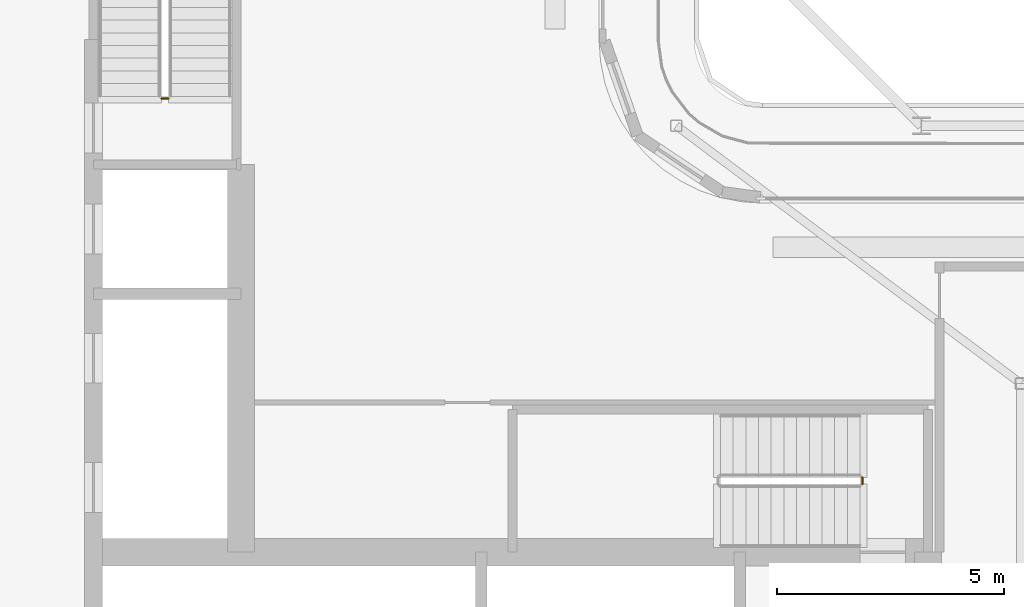
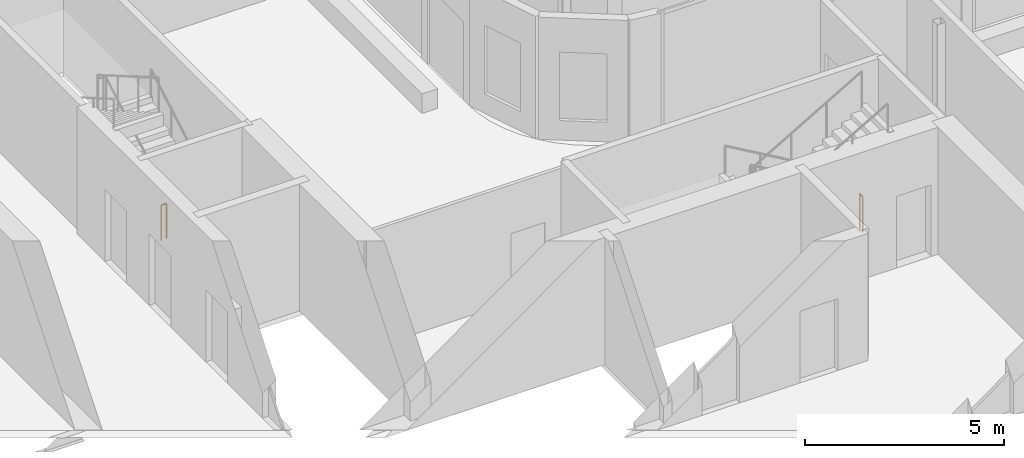
# One storey, part 16 of 20: 2 railings.
"""IFC4 building model written with IfcOpenShell, lengths in metres."""

from ifc_helpers import new_model, si_unit, direction, frame, origin, origin_2d, place, context, subcontext, project, spatial, circle, extrude, material, type_object, element, save


model = new_model("IFC4")

# Units and contexts
model_context = context("Model", 3, precision=1e-05, world=origin(), true_north=direction((0.0, 1.0)))
body_context = subcontext(model_context, "Body", "Model", "MODEL_VIEW")
ifc_project = project(units=[si_unit("LENGTHUNIT", "METRE"), si_unit("AREAUNIT", "SQUARE_METRE"), si_unit("VOLUMEUNIT", "CUBIC_METRE"), si_unit("PLANEANGLEUNIT", "RADIAN"), si_unit("MASSUNIT", "GRAM", prefix="KILO")], contexts=[model_context])

# Site, building, storey
site_placement = place(None, origin())
site = spatial("IfcSite", under=ifc_project, at=site_placement, CompositionType="ELEMENT")
building_placement = place(site_placement, origin())
building = spatial("IfcBuilding", under=site, at=building_placement, Name="Kheshtan School and Residences Tower", CompositionType="ELEMENT")
storey_placement = place(building_placement, frame((0.0, 0.0, 286.39990234375)))
storey = spatial("IfcBuildingStorey", under=building, at=storey_placement, Name="L67", CompositionType="ELEMENT", Elevation=286.39990234375)

# Railings
ifc_material = material(Name="Stainless steel balustrade", Category="steel")
railing_type = type_object("IfcRailingType", Name="Stair guard 1100", PredefinedType="GUARDRAIL", material=ifc_material)
railing_1_placement = place(storey_placement, frame((51.699951171875, 37.85009765625, 0.0)))
element("IfcRailing", 1, at=railing_1_placement, inside=storey, type_object=railing_type, Name="L67 ST1 stair guard 2", PredefinedType="GUARDRAIL", context=body_context, shape_type="SweptSolid", body=[
    extrude(circle(Radius=0.02392578125, at=origin_2d()), frame((0.0, 0.0, 1.076171875), z_axis=(0.0, -1.0, 0.0), x_axis=(1.0, 0.0, 0.0)), (0.0, 0.0, 1.0), 0.150146484375),
    extrude(circle(Radius=0.02099609375, at=origin_2d()), origin(), (0.0, 0.0, 1.0), 1.052001953125),
    extrude(circle(Radius=0.02099609375, at=origin_2d()), frame((0.0, -0.150146484375, 0.0)), (0.0, 0.0, 1.0), 1.052001953125),
])
railing_2_placement = place(storey_placement, frame((36.39990234375, 46.199951171875, 0.0)))
element("IfcRailing", 2, at=railing_2_placement, inside=storey, type_object=railing_type, Name="L67 ST2 stair guard 2", PredefinedType="GUARDRAIL", context=body_context, shape_type="SweptSolid", body=[
    extrude(circle(Radius=0.02392578125, at=origin_2d()), frame((0.0, 0.0, 1.076171875), z_axis=(-1.0, 0.0, 0.0), x_axis=(0.0, -1.0, 0.0)), (0.0, 0.0, 1.0), 0.14990234375),
    extrude(circle(Radius=0.02099609375, at=origin_2d()), origin(), (0.0, 0.0, 1.0), 1.052001953125),
    extrude(circle(Radius=0.02099609375, at=origin_2d()), frame((-0.14990234375, 0.0, 0.0)), (0.0, 0.0, 1.0), 1.052001953125),
])

save(model, "model.ifc")
